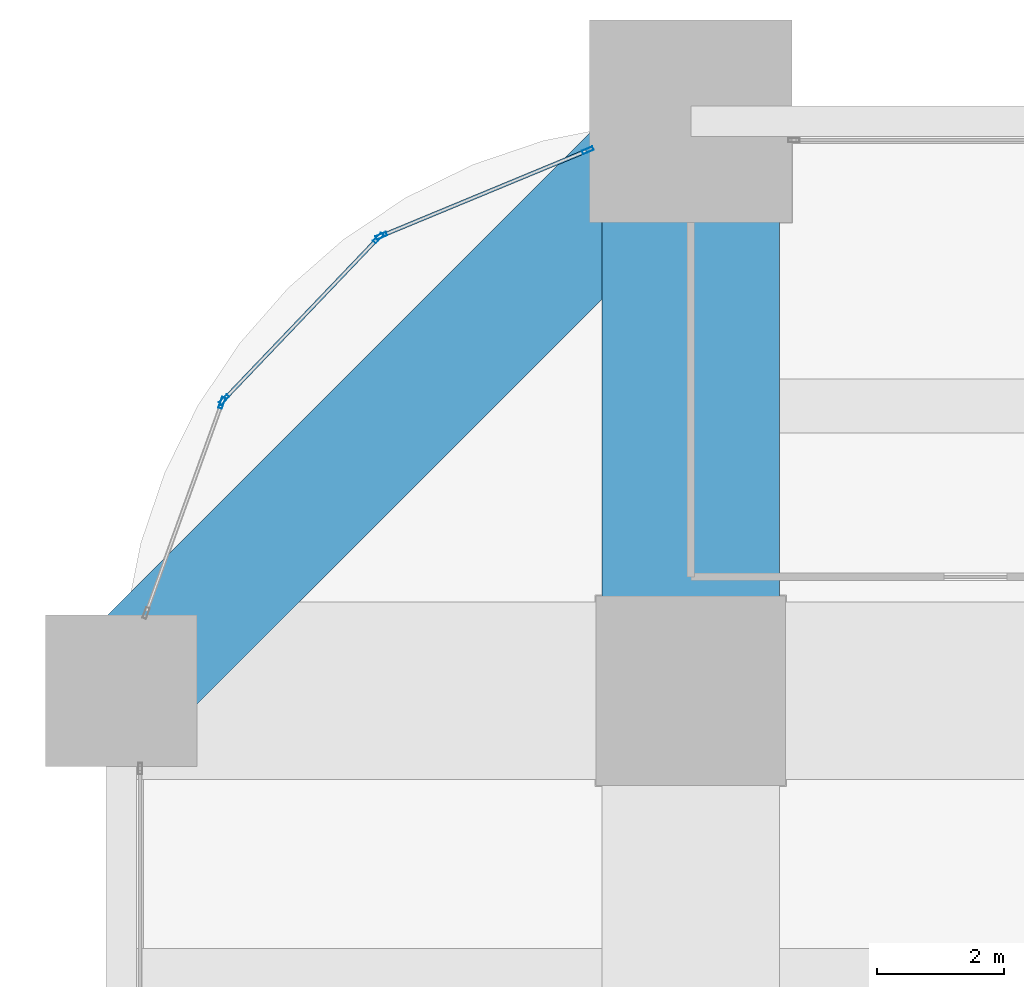
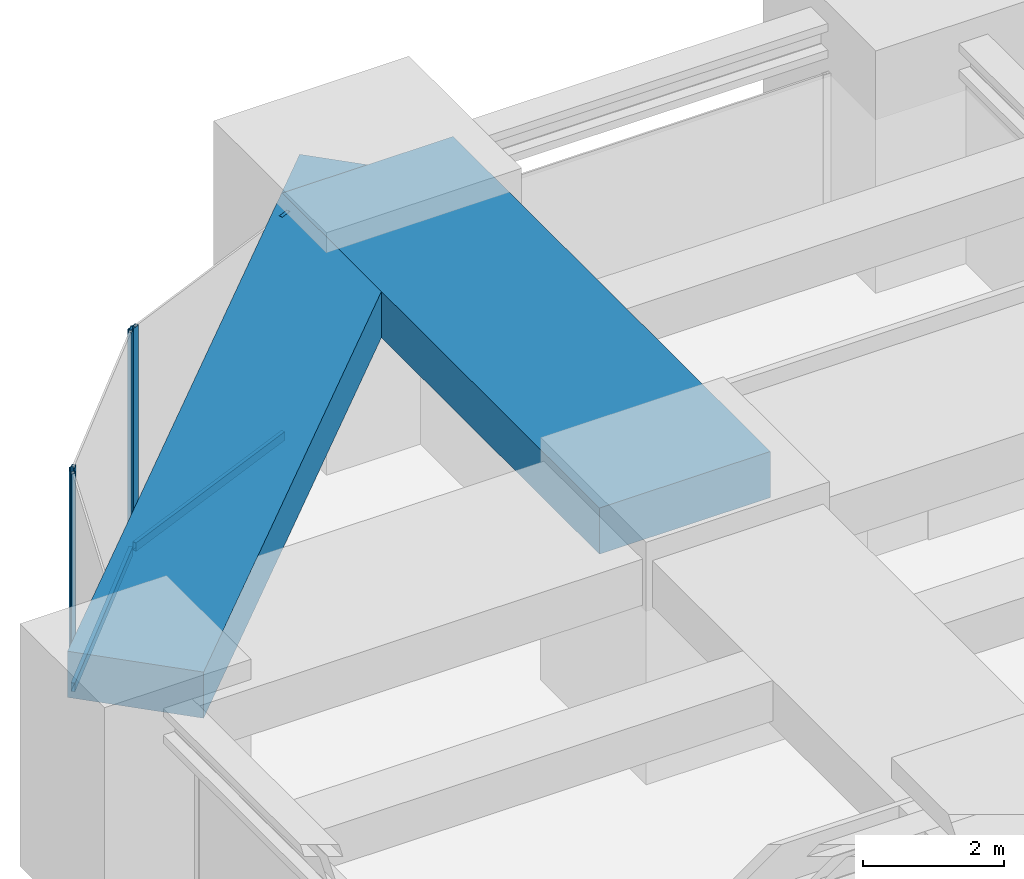
# One storey, part 26 of 42: 7 members, 2 beams, 3 elements without a shape of their own.
"""IFC4 building model written with IfcOpenShell, lengths in metres."""

from ifc_helpers import new_model, si_unit, direction, frame, origin, origin_2d, place, context, subcontext, project, spatial, rectangle, hollow_rectangle, extrude, material, material_profile, profile_set, type_object, element, aggregate, save


model = new_model("IFC4")

# Units and contexts
model_context = context("Model", 3, precision=1e-05, world=origin(), true_north=direction((0.0, 1.0)))
body_context = subcontext(model_context, "Body", "Model", "MODEL_VIEW")
ifc_project = project(units=[si_unit("LENGTHUNIT", "METRE"), si_unit("AREAUNIT", "SQUARE_METRE"), si_unit("VOLUMEUNIT", "CUBIC_METRE"), si_unit("PLANEANGLEUNIT", "RADIAN"), si_unit("MASSUNIT", "GRAM", prefix="KILO")], contexts=[model_context])

# Site, building, storey
site_placement = place(None, origin())
site = spatial("IfcSite", under=ifc_project, at=site_placement, CompositionType="ELEMENT")
building_placement = place(site_placement, origin())
building = spatial("IfcBuilding", under=site, at=building_placement, Name="Zorevar Civic Tower", CompositionType="ELEMENT")
storey_placement = place(building_placement, frame((0.0, 0.0, 75.800048828125)))
storey = spatial("IfcBuildingStorey", under=building, at=storey_placement, Name="L18", CompositionType="ELEMENT", Elevation=75.800048828125)

# Beam
ifc_material_1 = material(Name="Concrete C50/60", Category="concrete")
ifc_material_profile_1 = material_profile(ifc_material_1, rectangle(XDim=2.800048828125, YDim=0.800048828125, at=origin_2d()), Name="RC 2800x800")
ifc_profile_set_1 = profile_set([ifc_material_profile_1], Name="Concrete C50/60")
beam_type_1 = type_object("IfcBeamType", Name="Beam RC 2800x800", PredefinedType="BEAM", material=ifc_profile_set_1)
beam_1_placement = place(storey_placement, frame((9.0, 45.0, 3.449951171875), z_axis=(0.0, 1.0, 0.0), x_axis=(-1.0, 0.0, 0.0)))
element("IfcBeam", 1, at=beam_1_placement, inside=storey, type_object=beam_type_1, Name="Girder L19", PredefinedType="BEAM", context=body_context, shape_type="SweptSolid", body=[
    extrude(rectangle(XDim=2.800048828125, YDim=0.800048828125, at=origin_2d()), origin(), (0.0, 0.0, 1.0), 9.0),
])

# Curtain wall, members
ifc_material_2 = material(Name="Dark grey solar-control glass in black aluminium frame", Category="aluminium")
curtain_wall_type = type_object("IfcCurtainWallType", Name="Curtain wall CW2 low zone", PredefinedType="NOTDEFINED", material=ifc_material_2)
curtain_wall_1_placement = place(storey_placement, origin())
curtain_wall_1 = element("IfcCurtainWall", 2, at=curtain_wall_1_placement, inside=storey, type_object=curtain_wall_type, Name="CW2 L18", PredefinedType="NOTDEFINED")
ifc_material_3 = material(Name="Aluminium, black anodised", Category="aluminium")
ifc_material_profile_2 = material_profile(ifc_material_3, hollow_rectangle(XDim=0.06005859375, YDim=0.179931640625, WallThickness=0.00390625, at=origin_2d()), Name="AL 180x60x4")
ifc_profile_set_2 = profile_set([ifc_material_profile_2], Name="Aluminium, black anodised")
member_type_1 = type_object("IfcMemberType", Name="CW2 mullion AL 180x60x4", PredefinedType="MULLION", material=ifc_profile_set_2)
member_1_placement = place(storey_placement, frame((7.372314453125, 53.5400390625, 0.0), z_axis=(0.0, 0.0, 1.0), x_axis=(0.382841193399, -0.92381416997, 0.0)))
member_1 = element("IfcMember", 3, at=member_1_placement, type_object=member_type_1, Name="CW2 mullion 1", PredefinedType="MULLION", context=body_context, shape_type="SweptSolid", body=[
    extrude(hollow_rectangle(XDim=0.06005859375, YDim=0.179931640625, WallThickness=0.00390625, at=origin_2d()), origin(), (0.0, 0.0, 1.0), 3.849853515625),
])
member_2_placement = place(storey_placement, frame((4.109619140625, 52.18798828125, 0.0), z_axis=(0.0, 0.0, 1.0), x_axis=(0.382841193399, -0.92381416997, 0.0)))
member_2 = element("IfcMember", 4, at=member_2_placement, type_object=member_type_1, Name="CW2 mullion 2", PredefinedType="MULLION", context=body_context, shape_type="SweptSolid", body=[
    extrude(hollow_rectangle(XDim=0.06005859375, YDim=0.179931640625, WallThickness=0.00390625, at=origin_2d()), origin(), (0.0, 0.0, 1.0), 3.849853515625),
])

curtain_wall_2_placement = place(storey_placement, origin())
curtain_wall_2 = element("IfcCurtainWall", 5, at=curtain_wall_2_placement, inside=storey, type_object=curtain_wall_type, Name="CW2 L18", PredefinedType="NOTDEFINED")
member_3_placement = place(storey_placement, frame((4.061279296875, 52.15478515625, 0.0), z_axis=(0.0, 0.0, 1.0), x_axis=(0.723392628671, -0.690436894136, 0.0)))
member_3 = element("IfcMember", 6, at=member_3_placement, type_object=member_type_1, Name="CW2 mullion 1", PredefinedType="MULLION", context=body_context, shape_type="SweptSolid", body=[
    extrude(hollow_rectangle(XDim=0.06005859375, YDim=0.179931640625, WallThickness=0.00390625, at=origin_2d()), origin(), (0.0, 0.0, 1.0), 3.849853515625),
])
member_4_placement = place(storey_placement, frame((1.623046875, 49.60009765625, 0.0), z_axis=(0.0, 0.0, 1.0), x_axis=(0.723392628671, -0.690436894136, 0.0)))
member_4 = element("IfcMember", 7, at=member_4_placement, type_object=member_type_1, Name="CW2 mullion 2", PredefinedType="MULLION", context=body_context, shape_type="SweptSolid", body=[
    extrude(hollow_rectangle(XDim=0.06005859375, YDim=0.179931640625, WallThickness=0.00390625, at=origin_2d()), origin(), (0.0, 0.0, 1.0), 3.849853515625),
])

# Curtain wall, member
curtain_wall_3_placement = place(storey_placement, origin())
curtain_wall_3 = element("IfcCurtainWall", 8, at=curtain_wall_3_placement, inside=storey, type_object=curtain_wall_type, Name="CW2 L18", PredefinedType="NOTDEFINED")
member_5_placement = place(storey_placement, frame((1.592041015625, 49.55029296875, 0.0), z_axis=(0.0, 0.0, 1.0), x_axis=(0.940636829761, -0.339414723454, 0.0)))
member_5 = element("IfcMember", 9, at=member_5_placement, type_object=member_type_1, Name="CW2 mullion 1", PredefinedType="MULLION", context=body_context, shape_type="SweptSolid", body=[
    extrude(hollow_rectangle(XDim=0.06005859375, YDim=0.179931640625, WallThickness=0.00390625, at=origin_2d()), origin(), (0.0, 0.0, 1.0), 3.849853515625),
])
aggregate(curtain_wall_3, [member_5])

# Member
ifc_material_4 = material(Name="Aluminium, black anodised", Category="aluminium")
ifc_material_profile_3 = material_profile(ifc_material_4, hollow_rectangle(XDim=0.06005859375, YDim=0.14990234375, WallThickness=0.00390625, at=origin_2d()), Name="AL 150x60x4")
ifc_profile_set_3 = profile_set([ifc_material_profile_3], Name="Aluminium, black anodised")
member_type_2 = type_object("IfcMemberType", Name="CW2 transom AL 150x60x4", PredefinedType="USERDEFINED", material=ifc_profile_set_3)
member_6_placement = place(storey_placement, frame((7.344482421875, 53.528564453125, 0.030029296875), z_axis=(-0.923807642827, -0.382856943328, 0.0), x_axis=(0.382856943328, -0.923807642827, 0.0)))
member_6 = element("IfcMember", 10, at=member_6_placement, type_object=member_type_2, Name="CW2 sill transom", ObjectType="TRANSOM", PredefinedType="USERDEFINED", context=body_context, shape_type="SweptSolid", body=[
    extrude(hollow_rectangle(XDim=0.06005859375, YDim=0.14990234375, WallThickness=0.00390625, at=origin_2d()), origin(), (0.0, 0.0, 1.0), 3.471435546875),
])

aggregate(curtain_wall_1, [member_1, member_2, member_6])

member_7_placement = place(storey_placement, frame((4.04052734375, 52.133056640625, 0.030029296875), z_axis=(-0.690459020354, -0.723371509815, 0.0), x_axis=(0.723371509815, -0.690459020354, 0.0)))
member_7 = element("IfcMember", 11, at=member_7_placement, type_object=member_type_2, Name="CW2 sill transom", ObjectType="TRANSOM", PredefinedType="USERDEFINED", context=body_context, shape_type="SweptSolid", body=[
    extrude(hollow_rectangle(XDim=0.06005859375, YDim=0.14990234375, WallThickness=0.00390625, at=origin_2d()), origin(), (0.0, 0.0, 1.0), 3.4716796875),
])

aggregate(curtain_wall_2, [member_3, member_4, member_7])

# Beam
ifc_material_5 = material(Name="Concrete C50/60", Category="concrete")
ifc_material_profile_4 = material_profile(ifc_material_5, rectangle(XDim=2.0, YDim=0.800048828125, at=origin_2d()), Name="RC 2000x800")
ifc_profile_set_4 = profile_set([ifc_material_profile_4], Name="Concrete C50/60")
beam_type_2 = type_object("IfcBeamType", Name="Edge beam RC 2000x800", PredefinedType="SPANDREL", material=ifc_profile_set_4)
beam_2_placement = place(storey_placement, frame((9.0, 54.0, 3.449951171875), z_axis=(-0.707106781187, -0.707106781187, 0.0), x_axis=(0.707106781187, -0.707106781187, 0.0)))
element("IfcBeam", 12, at=beam_2_placement, inside=storey, type_object=beam_type_2, Name="Corner edge beam L19", PredefinedType="SPANDREL", context=body_context, shape_type="SweptSolid", body=[
    extrude(rectangle(XDim=2.0, YDim=0.800048828125, at=origin_2d()), origin(), (0.0, 0.0, 1.0), 12.72802734375),
])

save(model, "model.ifc")
